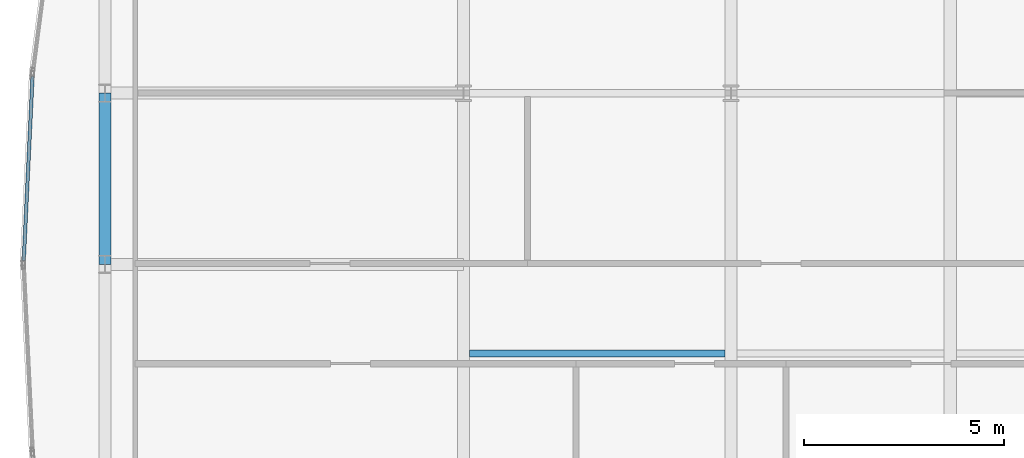
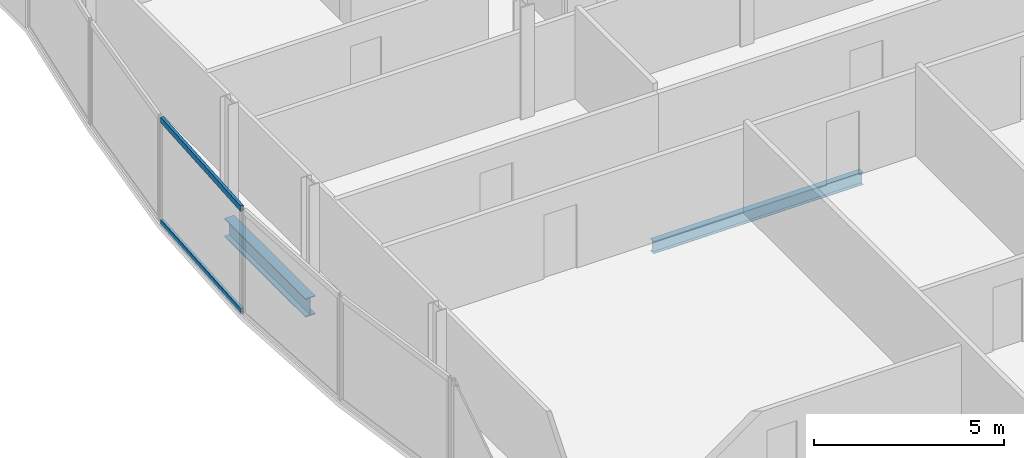
# One storey, part 11 of 30: 2 beams, 2 members, 1 element without a shape of its own.
"""IFC4 building model written with IfcOpenShell, lengths in metres."""

from ifc_helpers import new_model, si_unit, direction, frame, origin, origin_2d, place, context, subcontext, project, spatial, hollow_rectangle, i_section, extrude, material, material_profile, profile_set, type_object, element, aggregate, save


model = new_model("IFC4")

# Units and contexts
model_context = context("Model", 3, precision=1e-05, world=origin(), true_north=direction((0.0, 1.0)))
body_context = subcontext(model_context, "Body", "Model", "MODEL_VIEW")
ifc_project = project(units=[si_unit("LENGTHUNIT", "METRE"), si_unit("AREAUNIT", "SQUARE_METRE"), si_unit("VOLUMEUNIT", "CUBIC_METRE"), si_unit("PLANEANGLEUNIT", "RADIAN"), si_unit("MASSUNIT", "GRAM", prefix="KILO")], contexts=[model_context])

# Site, building, storey
site_placement = place(None, origin())
site = spatial("IfcSite", under=ifc_project, at=site_placement, CompositionType="ELEMENT")
building_placement = place(site_placement, origin())
building = spatial("IfcBuilding", under=site, at=building_placement, Name="Khoronbel Lancet Exchange", CompositionType="ELEMENT")
storey_placement = place(building_placement, frame((0.0, 0.0, 253.39990234375)))
storey = spatial("IfcBuildingStorey", under=building, at=storey_placement, Name="L65", CompositionType="ELEMENT", Elevation=253.39990234375)

# Beams
ifc_material_1 = material(Name="Steel S355", Category="steel")
ifc_material_profile_1 = material_profile(ifc_material_1, i_section(OverallWidth=0.179931640625, OverallDepth=0.39990234375, WebThickness=0.008544921875, FlangeThickness=0.013427734375, at=origin_2d()), Name="IPE 400")
ifc_profile_set_1 = profile_set([ifc_material_profile_1], Name="Steel S355")
beam_type_1 = type_object("IfcBeamType", Name="BM-BJ5", PredefinedType="JOIST", material=ifc_profile_set_1)
beam_1_placement = place(storey_placement, frame((18.375, 29.199951171875, -0.35986328125), z_axis=(1.0, 0.0, 0.0), x_axis=(0.0, 1.0, 0.0)))
element("IfcBeam", 1, at=beam_1_placement, inside=storey, type_object=beam_type_1, Name="Level L65 secondary composite joist J11", PredefinedType="JOIST", context=body_context, shape_type="SweptSolid", body=[
    extrude(i_section(OverallWidth=0.179931640625, OverallDepth=0.39990234375, WebThickness=0.008544921875, FlangeThickness=0.013427734375, at=origin_2d()), origin(), (0.0, 0.0, 1.0), 6.375),
])
ifc_material_profile_2 = material_profile(ifc_material_1, i_section(OverallWidth=0.300048828125, OverallDepth=0.60009765625, WebThickness=0.015380859375, FlangeThickness=0.030029296875, at=origin_2d()), Name="HEB 600")
ifc_profile_set_2 = profile_set([ifc_material_profile_2], Name="Steel S355")
beam_type_2 = type_object("IfcBeamType", Name="BM-BSP2", PredefinedType="SPANDREL", material=ifc_profile_set_2)
beam_2_placement = place(storey_placement, frame((9.27001953125, 35.699951171875, -0.4599609375), z_axis=(0.0, -1.0, 0.0), x_axis=(1.0, 0.0, 0.0)))
element("IfcBeam", 2, at=beam_2_placement, inside=storey, type_object=beam_type_2, Name="Level L65 perimeter spandrel beam SP18", PredefinedType="SPANDREL", context=body_context, shape_type="SweptSolid", body=[
    extrude(i_section(OverallWidth=0.300048828125, OverallDepth=0.60009765625, WebThickness=0.015380859375, FlangeThickness=0.030029296875, at=origin_2d()), origin(), (0.0, 0.0, 1.0), 4.27490234375),
])

# Curtain wall, members
ifc_material_2 = material(Name="Low-E Solar Control Insulating Glass", Category="glass")
curtain_wall_type = type_object("IfcCurtainWallType", Name="CW-4", PredefinedType="NOTDEFINED", material=ifc_material_2)
curtain_wall_placement = place(storey_placement, origin())
curtain_wall = element("IfcCurtainWall", 3, at=curtain_wall_placement, inside=storey, type_object=curtain_wall_type, Name="Unitised curtain wall CW-L65-E07", PredefinedType="NOTDEFINED")
ifc_material_3 = material(Name="Bronze-Anodised Aluminium 6063-T6", Category="aluminium")
ifc_material_profile_3 = material_profile(ifc_material_3, hollow_rectangle(XDim=0.0849609375, YDim=0.179931640625, WallThickness=0.0048828125, at=origin_2d()), Name="ALU TRANSOM 85x180")
ifc_profile_set_3 = profile_set([ifc_material_profile_3], Name="Bronze-Anodised Aluminium 6063-T6")
member_type = type_object("IfcMemberType", Name="MEM-CWT1", PredefinedType="USERDEFINED", material=ifc_profile_set_3)
member_1_placement = place(storey_placement, frame((7.2470703125, 31.52490234375, 0.04248046875), z_axis=(0.047792215273, 0.998857299197, 0.0), x_axis=(-0.998857299197, 0.047792215273, 0.0)))
member_1 = element("IfcMember", 4, at=member_1_placement, type_object=member_type, Name="CW4 transom 1.1", ObjectType="TRANSOM", PredefinedType="USERDEFINED", context=body_context, shape_type="SweptSolid", body=[
    extrude(hollow_rectangle(XDim=0.0849609375, YDim=0.179931640625, WallThickness=0.0048828125, at=origin_2d()), origin(), (0.0, 0.0, 1.0), 4.59765625),
])
member_2_placement = place(storey_placement, frame((7.2470703125, 31.52490234375, 3.337646484375), z_axis=(0.047792215273, 0.998857299197, 0.0), x_axis=(-0.998857299197, 0.047792215273, 0.0)))
member_2 = element("IfcMember", 5, at=member_2_placement, type_object=member_type, Name="CW4 transom 1.2", ObjectType="TRANSOM", PredefinedType="USERDEFINED", context=body_context, shape_type="SweptSolid", body=[
    extrude(hollow_rectangle(XDim=0.0849609375, YDim=0.179931640625, WallThickness=0.0048828125, at=origin_2d()), origin(), (0.0, 0.0, 1.0), 4.59765625),
])
aggregate(curtain_wall, [member_1, member_2])

save(model, "model.ifc")
